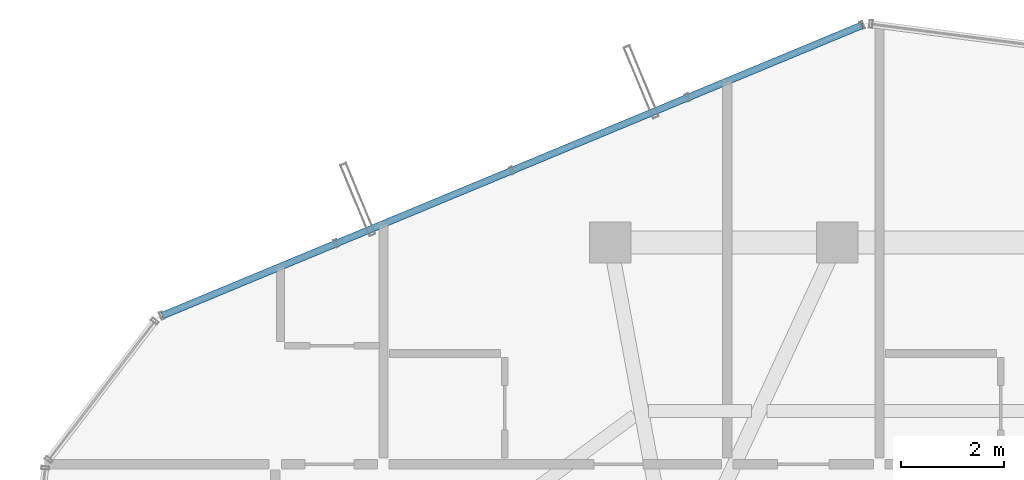
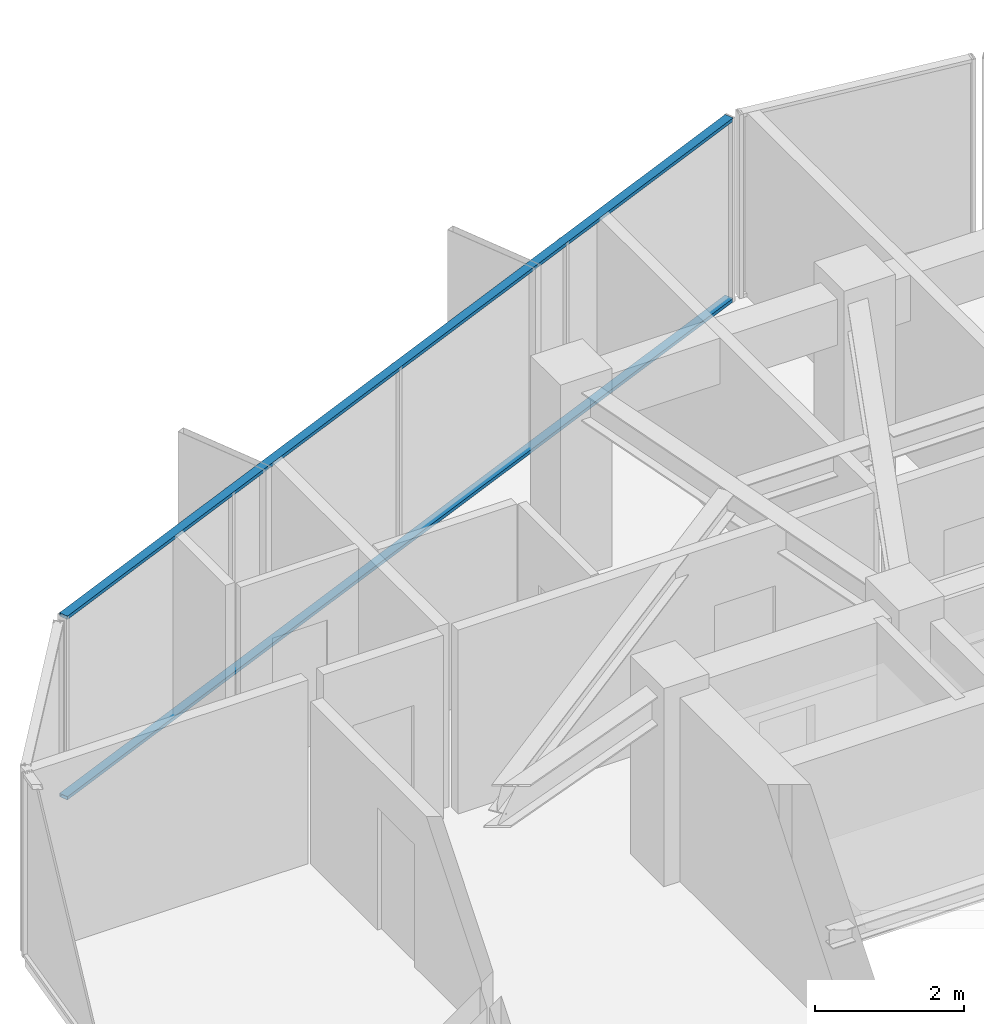
# One storey, part 24 of 31: 2 members, 1 element without a shape of its own.
"""IFC4 building model written with IfcOpenShell, lengths in metres."""

from ifc_helpers import new_model, si_unit, direction, frame, origin, origin_2d, place, context, subcontext, project, spatial, hollow_rectangle, extrude, source, transform, mapped, material, layer, layer_set, material_profile, profile_set, type_object, element, aggregate, save


model = new_model("IFC4")

# Units and contexts
model_context = context("Model", 3, precision=1e-05, world=origin(), true_north=direction((0.0, 1.0)))
body_context = subcontext(model_context, "Body", "Model", "MODEL_VIEW")
ifc_project = project(units=[si_unit("LENGTHUNIT", "METRE"), si_unit("AREAUNIT", "SQUARE_METRE"), si_unit("VOLUMEUNIT", "CUBIC_METRE"), si_unit("PLANEANGLEUNIT", "RADIAN"), si_unit("MASSUNIT", "GRAM", prefix="KILO")], contexts=[model_context])

# Site, building, storey
site_placement = place(None, origin())
site = spatial("IfcSite", under=ifc_project, at=site_placement, CompositionType="ELEMENT")
building_placement = place(site_placement, origin())
building = spatial("IfcBuilding", under=site, at=building_placement, Name="Veraguas Prism Commons", CompositionType="ELEMENT")
storey_placement = place(building_placement, frame((0.0, 0.0, 233.300048828125)))
storey = spatial("IfcBuildingStorey", under=building, at=storey_placement, Name="L66", CompositionType="ELEMENT", Elevation=233.300048828125)

# Curtain wall, members
ifc_material = material(Name="Anodised aluminium EN AW-6063 T6", Category="aluminium")
ifc_layer = layer(ifc_material, 0.14990234375, Name="Unitised Flush Curtain Wall Zone 4", Category="aluminium")
ifc_layer_set = layer_set([ifc_layer], Name="Anodised aluminium EN AW-6063 T6")
curtain_wall_type = type_object("IfcCurtainWallType", Name="Unitised Flush Curtain Wall Zone 4", PredefinedType="NOTDEFINED", material=ifc_layer_set)
curtain_wall_placement = place(storey_placement, origin())
curtain_wall = element("IfcCurtainWall", 1, at=curtain_wall_placement, inside=storey, type_object=curtain_wall_type, Name="Tower Facade Curtain Wall L66-F2", PredefinedType="NOTDEFINED")
ifc_material_profile = material_profile(ifc_material, hollow_rectangle(XDim=0.054931640625, YDim=0.135009765625, WallThickness=0.0029296875, at=origin_2d()), Name="AL55X135X3")
ifc_profile_set = profile_set([ifc_material_profile], Name="Anodised aluminium EN AW-6063 T6")
member_type = type_object("IfcMemberType", Name="Curtain Wall Transom Standard AL 55x135x3", PredefinedType="USERDEFINED", material=ifc_profile_set)
shared_shape = source(origin(), body_context, "Body", "SweptSolid", [
    extrude(hollow_rectangle(XDim=0.054931640625, YDim=0.135009765625, WallThickness=0.0029296875, at=origin_2d()), origin(), (0.0, 0.0, 1.0), 14.706298828125),
])
member_1_placement = place(storey_placement, frame((24.484130859375, 42.01611328125, 0.02734375), z_axis=(-0.923616283384, -0.383318354723, 0.0), x_axis=(0.0, 0.0, 1.0)))
member_1 = element("IfcMember", 2, at=member_1_placement, type_object=member_type, Name="CW-Z4 Transom 1", ObjectType="TRANSOM", PredefinedType="USERDEFINED", context=body_context, shape_type="MappedRepresentation", body=[
    mapped(shared_shape, transform((0.0, 0.0, 0.0), scale=1.0)),
])
member_2_placement = place(storey_placement, frame((24.484130859375, 42.01611328125, 2.987548828125), z_axis=(-0.923616283384, -0.383318354723, 0.0), x_axis=(0.0, 0.0, 1.0)))
member_2 = element("IfcMember", 3, at=member_2_placement, type_object=member_type, Name="CW-Z4 Transom 2", ObjectType="TRANSOM", PredefinedType="USERDEFINED", context=body_context, shape_type="MappedRepresentation", body=[
    mapped(shared_shape, transform((0.0, 0.0, 0.0), scale=1.0)),
])
aggregate(curtain_wall, [member_1, member_2])

save(model, "model.ifc")
